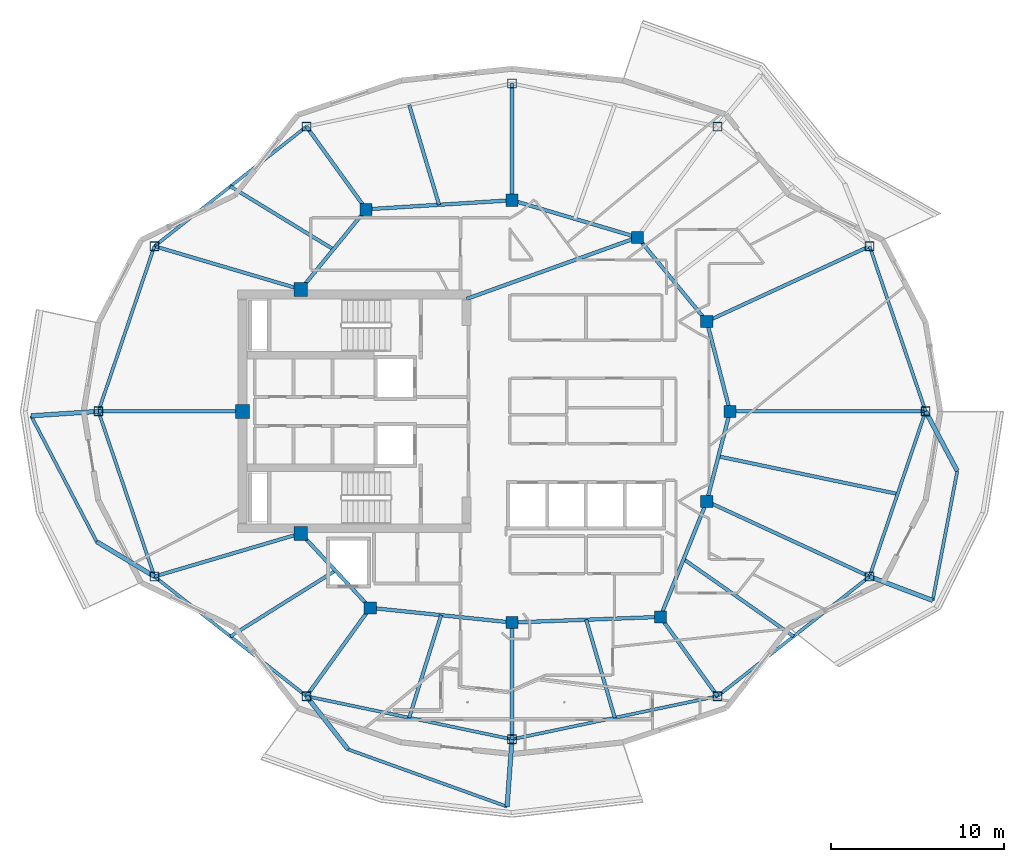
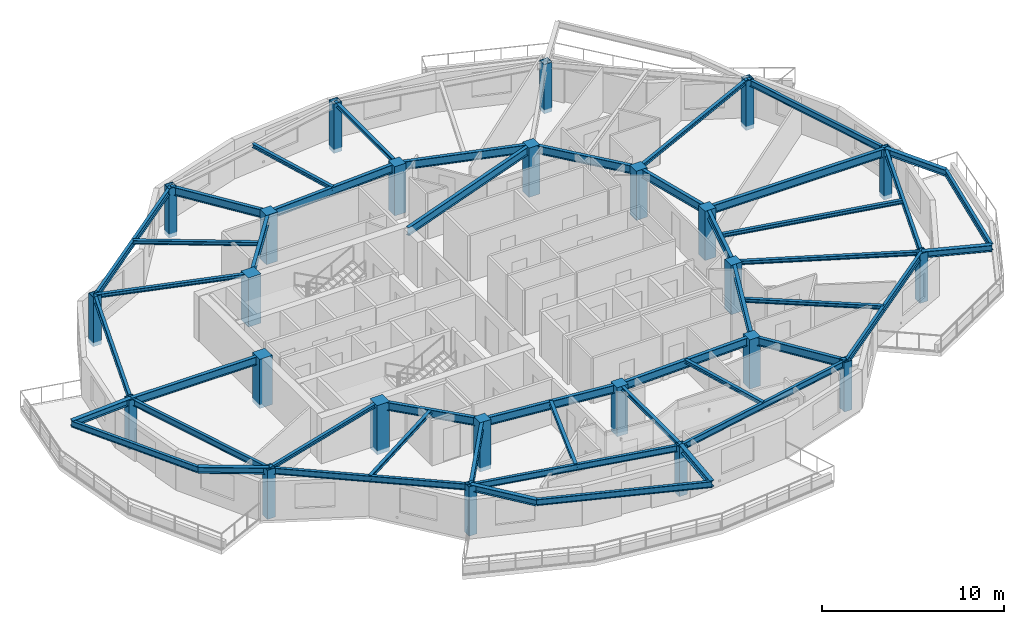
# One storey, part 1 of 14: 47 beams, 24 columns.
"""IFC4 building model written with IfcOpenShell, lengths in metres."""

from ifc_helpers import new_model, si_unit, direction, frame, origin, origin_2d, place, context, subcontext, project, spatial, rectangle, hollow_rectangle, i_section, extrude, material, material_profile, profile_set, type_object, element, save


model = new_model("IFC4")

# Units and contexts
model_context = context("Model", 3, precision=1e-05, world=origin(), true_north=direction((0.0, 1.0)))
body_context = subcontext(model_context, "Body", "Model", "MODEL_VIEW")
ifc_project = project(units=[si_unit("LENGTHUNIT", "METRE"), si_unit("AREAUNIT", "SQUARE_METRE"), si_unit("VOLUMEUNIT", "CUBIC_METRE"), si_unit("PLANEANGLEUNIT", "RADIAN"), si_unit("MASSUNIT", "GRAM", prefix="KILO")], contexts=[model_context])

# Site, building, storey
site_placement = place(None, origin())
site = spatial("IfcSite", under=ifc_project, at=site_placement, CompositionType="ELEMENT")
building_placement = place(site_placement, origin())
building = spatial("IfcBuilding", under=site, at=building_placement, Name="Kolvaren Gate Tower and Convention Centre", CompositionType="ELEMENT")
storey_placement = place(building_placement, frame((0.0, 0.0, 216.199951171875)))
storey = spatial("IfcBuildingStorey", under=building, at=storey_placement, Name="L57", CompositionType="ELEMENT", Elevation=216.199951171875)

# Columns
ifc_material_1 = material(Name="Structural steel ASTM A500 Grade C 345 MPa", Category="steel")
ifc_material_profile_1 = material_profile(ifc_material_1, hollow_rectangle(XDim=0.508056640625, YDim=0.508056640625, WallThickness=0.01904296875, at=origin_2d()), Name="HSS508X508X19.1")
ifc_profile_set_1 = profile_set([ifc_material_profile_1], Name="Structural steel ASTM A500 Grade C 345 MPa")
column_type_1 = type_object("IfcColumnType", Name="STR-COL-HSS508", PredefinedType="COLUMN", material=ifc_profile_set_1)
for number, where, z_axis, x_axis, name in (
    (1, (54.02490234375, 27.0, -0.27001953125), (0.0, 0.0, 1.0), (1.0, 0.0, 0.0), "Tower L57 Perimeter Supercolumn TP-01"),
    (2, (50.787353515625, 36.543701171875, -0.27001953125), (0.0, 0.0, 1.0), (1.0, 0.0, 0.0), "Tower L57 Perimeter Supercolumn TP-02"),
    (3, (42.002685546875, 43.4580078125, -0.27001953125), (0.0, 0.0, 1.0), (1.0, 0.0, 0.0), "Tower L57 Perimeter Supercolumn TP-03"),
    (4, (30.125, 45.949951171875, -0.27001953125), (0.0, 0.0, 1.0), (1.0, 0.0, 0.0), "Tower L57 Perimeter Supercolumn TP-04"),
    (5, (18.247314453125, 43.4580078125, -0.27001953125), (0.0, 0.0, 1.0), (1.0, 0.0, 0.0), "Tower L57 Perimeter Supercolumn TP-05"),
    (6, (9.462646484375, 36.543701171875, -0.27001953125), (0.0, 0.0, 1.0), (1.0, 0.0, 0.0), "Tower L57 Perimeter Supercolumn TP-06"),
    (7, (6.22509765625, 27.0, -0.27001953125), (0.0, 0.0, 1.0), (1.0, 0.0, 0.0), "Tower L57 Perimeter Supercolumn TP-07"),
    (8, (9.462646484375, 17.456298828125, -0.27001953125), (0.0, 0.0, 1.0), (1.0, 0.0, 0.0), "Tower L57 Perimeter Supercolumn TP-08"),
    (9, (18.247314453125, 10.5419921875, -0.27001953125), (0.0, 0.0, 1.0), (1.0, 0.0, 0.0), "Tower L57 Perimeter Supercolumn TP-09"),
    (10, (30.125, 8.050048828125, -0.27001953125), (0.0, 0.0, 1.0), (1.0, 0.0, 0.0), "Tower L57 Perimeter Supercolumn TP-10"),
    (11, (42.002685546875, 10.5419921875, -0.27001953125), (0.0, 0.0, 1.0), (1.0, 0.0, 0.0), "Tower L57 Perimeter Supercolumn TP-11"),
    (12, (50.787353515625, 17.456298828125, -0.27001953125), (0.0, 0.0, 1.0), (1.0, 0.0, 0.0), "Tower L57 Perimeter Supercolumn TP-12"),
):
    element("IfcColumn", number, at=place(storey_placement, frame(where, z_axis=z_axis, x_axis=x_axis)), inside=storey, type_object=column_type_1, Name=name, PredefinedType="COLUMN", context=body_context, shape_type="SweptSolid", body=[
        extrude(hollow_rectangle(XDim=0.508056640625, YDim=0.508056640625, WallThickness=0.01904296875, at=origin_2d()), origin(), (0.0, 0.0, 1.0), 3.300048828125),
    ])
ifc_material_2 = material(Name="Concrete C50/60", Category="concrete")
ifc_material_profile_2 = material_profile(ifc_material_2, rectangle(XDim=0.699951171875, YDim=0.699951171875, at=origin_2d()), Name="RC-COL-700X700")
ifc_profile_set_2 = profile_set([ifc_material_profile_2], Name="Concrete C50/60")
column_type_2 = type_object("IfcColumnType", Name="STR-COL-RC700", PredefinedType="COLUMN", material=ifc_profile_set_2)
for number, where, z_axis, x_axis, name in (
    (13, (42.72509765625, 27.0, -0.27001953125), (0.0, 0.0, 1.0), (1.0, 0.0, 0.0), "Tower L57 Interior Column TI-01"),
    (14, (41.382080078125, 32.199462890625, -0.27001953125), (0.0, 0.0, 1.0), (1.0, 0.0, 0.0), "Tower L57 Interior Column TI-02"),
    (15, (37.381591796875, 37.054931640625, -0.27001953125), (0.0, 0.0, 1.0), (1.0, 0.0, 0.0), "Tower L57 Interior Column TI-03"),
    (16, (30.125, 39.199951171875, -0.27001953125), (0.0, 0.0, 1.0), (1.0, 0.0, 0.0), "Tower L57 Interior Column TI-04"),
    (17, (21.697998046875, 38.6767578125, -0.27001953125), (0.0, 0.0, 1.0), (1.0, 0.0, 0.0), "Tower L57 Interior Column TI-05"),
    (18, (21.93212890625, 15.647705078125, -0.27001953125), (0.0, 0.0, 1.0), (1.0, 0.0, 0.0), "Tower L57 Interior Column TI-06"),
    (19, (30.125, 14.800048828125, -0.27001953125), (0.0, 0.0, 1.0), (1.0, 0.0, 0.0), "Tower L57 Interior Column TI-07"),
    (20, (38.6982421875, 15.12060546875, -0.27001953125), (0.0, 0.0, 1.0), (1.0, 0.0, 0.0), "Tower L57 Interior Column TI-08"),
    (21, (41.382080078125, 21.800537109375, -0.27001953125), (0.0, 0.0, 1.0), (1.0, 0.0, 0.0), "Tower L57 Interior Column TI-09"),
):
    element("IfcColumn", number, at=place(storey_placement, frame(where, z_axis=z_axis, x_axis=x_axis)), inside=storey, type_object=column_type_2, Name=name, PredefinedType="COLUMN", context=body_context, shape_type="SweptSolid", body=[
        extrude(rectangle(XDim=0.699951171875, YDim=0.699951171875, at=origin_2d()), origin(), (0.0, 0.0, 1.0), 3.300048828125),
    ])
ifc_material_3 = material(Name="Concrete C60/75", Category="concrete")
ifc_material_profile_3 = material_profile(ifc_material_3, rectangle(XDim=0.800048828125, YDim=0.800048828125, at=origin_2d()), Name="RC-COL-800X800")
ifc_profile_set_3 = profile_set([ifc_material_profile_3], Name="Concrete C60/75")
column_type_3 = type_object("IfcColumnType", Name="STR-PIL-RC800", PredefinedType="PILASTER", material=ifc_profile_set_3)
for number, where, z_axis, x_axis, name in (
    (22, (17.9140625, 34.050048828125, -0.27001953125), (0.0, 0.0, 1.0), (1.0, 0.0, 0.0), "Tower L57 Core Boundary Pilaster TC-05"),
    (23, (14.550048828125, 27.0, -0.27001953125), (0.0, 0.0, 1.0), (1.0, 0.0, 0.0), "Tower L57 Core Boundary Pilaster TC-06"),
    (24, (17.9140625, 19.949951171875, -0.27001953125), (0.0, 0.0, 1.0), (1.0, 0.0, 0.0), "Tower L57 Core Boundary Pilaster TC-07"),
):
    element("IfcColumn", number, at=place(storey_placement, frame(where, z_axis=z_axis, x_axis=x_axis)), inside=storey, type_object=column_type_3, Name=name, PredefinedType="PILASTER", context=body_context, shape_type="SweptSolid", body=[
        extrude(rectangle(XDim=0.800048828125, YDim=0.800048828125, at=origin_2d()), origin(), (0.0, 0.0, 1.0), 3.300048828125),
    ])

# Beams
ifc_material_4 = material(Name="Structural steel ASTM A992 Grade 345 MPa", Category="steel")
ifc_material_profile_4 = material_profile(ifc_material_4, i_section(OverallWidth=0.260009765625, OverallDepth=0.419921875, WebThickness=0.013427734375, FlangeThickness=0.0224609375, at=origin_2d()), Name="W410X132")
ifc_profile_set_4 = profile_set([ifc_material_profile_4], Name="Structural steel ASTM A992 Grade 345 MPa")
beam_type_1 = type_object("IfcBeamType", Name="STR-BM-W410X132", PredefinedType="BEAM", material=ifc_profile_set_4)
for number, where, z_axis, x_axis, name in (
    (25, (6.22509765625, 27.0, 2.820556640625), (-0.997825138942, -0.065916554034, 0.0), (0.065916554034, -0.997825138942, 0.0), "Tower L58 Planted Balcony Outrigger Cantilever BC-2A"),
    (26, (9.462646484375, 17.456298828125, 2.820556640625), (-0.856097890351, 0.516813701575, 0.0), (-0.516813701575, -0.856097890351, 0.0), "Tower L58 Planted Balcony Outrigger Cantilever BC-2B"),
):
    element("IfcBeam", number, at=place(storey_placement, frame(where, z_axis=z_axis, x_axis=x_axis)), inside=storey, type_object=beam_type_1, Name=name, PredefinedType="BEAM", context=body_context, shape_type="SweptSolid", body=[
        extrude(i_section(OverallWidth=0.260009765625, OverallDepth=0.419921875, WebThickness=0.013427734375, FlangeThickness=0.0224609375, at=origin_2d()), origin(), (0.0, 0.0, 1.0), 3.900146484375),
    ])
beam_1_placement = place(storey_placement, frame((18.247314453125, 10.5419921875, 2.820556640625), z_axis=(0.615984127809, -0.787758563449, 0.0), x_axis=(0.787758563449, 0.615984127809, 0.0)))
element("IfcBeam", 27, at=beam_1_placement, inside=storey, type_object=beam_type_1, Name="Tower L58 Planted Balcony Outrigger Cantilever BC-3A", PredefinedType="BEAM", context=body_context, shape_type="SweptSolid", body=[
    extrude(i_section(OverallWidth=0.260009765625, OverallDepth=0.419921875, WebThickness=0.013427734375, FlangeThickness=0.0224609375, at=origin_2d()), origin(), (0.0, 0.0, 1.0), 3.89990234375),
])
for number, where, z_axis, x_axis, name in (
    (28, (30.125, 8.050048828125, 2.820556640625), (-0.073177618762, -0.997318923972, 0.0), (0.997318923972, -0.073177618762, 0.0), "Tower L58 Planted Balcony Outrigger Cantilever BC-3B"),
    (29, (50.787353515625, 17.456298828125, 2.820556640625), (0.935223524141, -0.354057848229, 0.0), (0.354057848229, 0.935223524141, 0.0), "Tower L58 Planted Balcony Outrigger Cantilever BC-4A"),
    (30, (54.02490234375, 27.0, 2.820556640625), (0.469557949111, -0.882901655014, 0.0), (0.882901655014, 0.469557949111, 0.0), "Tower L58 Planted Balcony Outrigger Cantilever BC-4B"),
):
    element("IfcBeam", number, at=place(storey_placement, frame(where, z_axis=z_axis, x_axis=x_axis)), inside=storey, type_object=beam_type_1, Name=name, PredefinedType="BEAM", context=body_context, shape_type="SweptSolid", body=[
        extrude(i_section(OverallWidth=0.260009765625, OverallDepth=0.419921875, WebThickness=0.013427734375, FlangeThickness=0.0224609375, at=origin_2d()), origin(), (0.0, 0.0, 1.0), 3.900146484375),
    ])
ifc_material_profile_5 = material_profile(ifc_material_4, i_section(OverallWidth=0.2119140625, OverallDepth=0.5439453125, WebThickness=0.01318359375, FlangeThickness=0.021240234375, at=origin_2d()), Name="W530X123")
ifc_profile_set_5 = profile_set([ifc_material_profile_5], Name="Structural steel ASTM A992 Grade 345 MPa")
beam_type_2 = type_object("IfcBeamType", Name="STR-BM-W530X123", PredefinedType="BEAM", material=ifc_profile_set_5)
beam_2_placement = place(storey_placement, frame((42.72509765625, 27.0, 2.758056640625), z_axis=(-0.250091133936, -0.968222301296, 0.0), x_axis=(0.968222301296, -0.250091133936, 0.0)))
element("IfcBeam", 31, at=beam_2_placement, inside=storey, type_object=beam_type_2, Name="Tower L57 Primary Ring Girder G-01", PredefinedType="BEAM", context=body_context, shape_type="SweptSolid", body=[
    extrude(i_section(OverallWidth=0.2119140625, OverallDepth=0.5439453125, WebThickness=0.01318359375, FlangeThickness=0.021240234375, at=origin_2d()), origin(), (0.0, 0.0, 1.0), 5.3701171875),
])
beam_3_placement = place(storey_placement, frame((41.382080078125, 32.199462890625, 2.758056640625), z_axis=(-0.635884066011, 0.771784590798, 0.0), x_axis=(-0.771784590798, -0.635884066011, 0.0)))
element("IfcBeam", 32, at=beam_3_placement, inside=storey, type_object=beam_type_2, Name="Tower L57 Primary Ring Girder G-02", PredefinedType="BEAM", context=body_context, shape_type="SweptSolid", body=[
    extrude(i_section(OverallWidth=0.2119140625, OverallDepth=0.5439453125, WebThickness=0.01318359375, FlangeThickness=0.021240234375, at=origin_2d()), origin(), (0.0, 0.0, 1.0), 6.291259765625),
])
beam_4_placement = place(storey_placement, frame((37.381591796875, 37.054931640625, 2.758056640625), z_axis=(-0.958980837827, 0.283470902706, 0.0), x_axis=(-0.283470902706, -0.958980837827, 0.0)))
element("IfcBeam", 33, at=beam_4_placement, inside=storey, type_object=beam_type_2, Name="Tower L57 Primary Ring Girder G-03", PredefinedType="BEAM", context=body_context, shape_type="SweptSolid", body=[
    extrude(i_section(OverallWidth=0.2119140625, OverallDepth=0.5439453125, WebThickness=0.01318359375, FlangeThickness=0.021240234375, at=origin_2d()), origin(), (0.0, 0.0, 1.0), 7.56689453125),
])
beam_5_placement = place(storey_placement, frame((30.125, 39.199951171875, 2.758056640625), z_axis=(-0.998078258568, -0.06196603726, 0.0), x_axis=(0.06196603726, -0.998078258568, 0.0)))
element("IfcBeam", 34, at=beam_5_placement, inside=storey, type_object=beam_type_2, Name="Tower L57 Primary Ring Girder G-04", PredefinedType="BEAM", context=body_context, shape_type="SweptSolid", body=[
    extrude(i_section(OverallWidth=0.2119140625, OverallDepth=0.5439453125, WebThickness=0.01318359375, FlangeThickness=0.021240234375, at=origin_2d()), origin(), (0.0, 0.0, 1.0), 8.443115234375),
])
beam_6_placement = place(storey_placement, frame((21.697998046875, 38.6767578125, 2.758056640625), z_axis=(-0.633082074904, -0.774084676528, 0.0), x_axis=(0.774084676528, -0.633082074904, 0.0)))
element("IfcBeam", 35, at=beam_6_placement, inside=storey, type_object=beam_type_2, Name="Tower L57 Primary Ring Girder G-05", PredefinedType="BEAM", context=body_context, shape_type="SweptSolid", body=[
    extrude(i_section(OverallWidth=0.2119140625, OverallDepth=0.5439453125, WebThickness=0.01318359375, FlangeThickness=0.021240234375, at=origin_2d()), origin(), (0.0, 0.0, 1.0), 5.97705078125),
])
beam_7_placement = place(storey_placement, frame((17.9140625, 19.949951171875, 2.758056640625), z_axis=(0.682557592987, -0.730831808459, 0.0), x_axis=(0.730831808459, 0.682557592987, 0.0)))
element("IfcBeam", 36, at=beam_7_placement, inside=storey, type_object=beam_type_2, Name="Tower L57 Primary Ring Girder G-06", PredefinedType="BEAM", context=body_context, shape_type="SweptSolid", body=[
    extrude(i_section(OverallWidth=0.2119140625, OverallDepth=0.5439453125, WebThickness=0.01318359375, FlangeThickness=0.021240234375, at=origin_2d()), origin(), (0.0, 0.0, 1.0), 5.88671875),
])
beam_8_placement = place(storey_placement, frame((21.93212890625, 15.647705078125, 2.758056640625), z_axis=(0.994690329115, -0.102913308978, 0.0), x_axis=(0.102913308978, 0.994690329115, 0.0)))
element("IfcBeam", 37, at=beam_8_placement, inside=storey, type_object=beam_type_2, Name="Tower L57 Primary Ring Girder G-07", PredefinedType="BEAM", context=body_context, shape_type="SweptSolid", body=[
    extrude(i_section(OverallWidth=0.2119140625, OverallDepth=0.5439453125, WebThickness=0.01318359375, FlangeThickness=0.021240234375, at=origin_2d()), origin(), (0.0, 0.0, 1.0), 8.236572265625),
])
beam_9_placement = place(storey_placement, frame((30.125, 14.800048828125, 2.758056640625), z_axis=(0.999301712453, 0.037364254142, 0.0), x_axis=(-0.037364254142, 0.999301712453, 0.0)))
element("IfcBeam", 38, at=beam_9_placement, inside=storey, type_object=beam_type_2, Name="Tower L57 Primary Ring Girder G-08", PredefinedType="BEAM", context=body_context, shape_type="SweptSolid", body=[
    extrude(i_section(OverallWidth=0.2119140625, OverallDepth=0.5439453125, WebThickness=0.01318359375, FlangeThickness=0.021240234375, at=origin_2d()), origin(), (0.0, 0.0, 1.0), 8.579345703125),
])
beam_10_placement = place(storey_placement, frame((38.6982421875, 15.12060546875, 2.758056640625), z_axis=(0.372811100169, 0.927907260232, 0.0), x_axis=(-0.927907260232, 0.372811100169, 0.0)))
element("IfcBeam", 39, at=beam_10_placement, inside=storey, type_object=beam_type_2, Name="Tower L57 Primary Ring Girder G-09", PredefinedType="BEAM", context=body_context, shape_type="SweptSolid", body=[
    extrude(i_section(OverallWidth=0.2119140625, OverallDepth=0.5439453125, WebThickness=0.01318359375, FlangeThickness=0.021240234375, at=origin_2d()), origin(), (0.0, 0.0, 1.0), 7.198974609375),
])
beam_11_placement = place(storey_placement, frame((27.5, 33.5, 2.758056640625), z_axis=(0.940961479908, 0.338513653093, 0.0), x_axis=(-0.338513653093, 0.940961479908, 0.0)))
element("IfcBeam", 40, at=beam_11_placement, inside=storey, type_object=beam_type_2, Name="Tower L57 Primary Ring Girder G-10", PredefinedType="BEAM", context=body_context, shape_type="SweptSolid", body=[
    extrude(i_section(OverallWidth=0.2119140625, OverallDepth=0.5439453125, WebThickness=0.01318359375, FlangeThickness=0.021240234375, at=origin_2d()), origin(), (0.0, 0.0, 1.0), 10.501708984375),
])
beam_12_placement = place(storey_placement, frame((42.72509765625, 27.0, 2.758056640625), z_axis=(-0.250091133936, 0.968222301296, 0.0), x_axis=(-0.968222301296, -0.250091133936, 0.0)))
element("IfcBeam", 41, at=beam_12_placement, inside=storey, type_object=beam_type_2, Name="Tower L57 Primary Ring Girder G-12", PredefinedType="BEAM", context=body_context, shape_type="SweptSolid", body=[
    extrude(i_section(OverallWidth=0.2119140625, OverallDepth=0.5439453125, WebThickness=0.01318359375, FlangeThickness=0.021240234375, at=origin_2d()), origin(), (0.0, 0.0, 1.0), 5.3701171875),
])
beam_13_placement = place(storey_placement, frame((42.72509765625, 27.0, 2.758056640625), z_axis=(1.0, 0.0, 0.0), x_axis=(0.0, 1.0, 0.0)))
element("IfcBeam", 42, at=beam_13_placement, inside=storey, type_object=beam_type_2, Name="Tower L57 Radial Floor Girder RB-01", PredefinedType="BEAM", context=body_context, shape_type="SweptSolid", body=[
    extrude(i_section(OverallWidth=0.2119140625, OverallDepth=0.5439453125, WebThickness=0.01318359375, FlangeThickness=0.021240234375, at=origin_2d()), origin(), (0.0, 0.0, 1.0), 11.2998046875),
])
beam_14_placement = place(storey_placement, frame((21.697998046875, 38.6767578125, 2.758056640625), z_axis=(-0.585218406802, 0.810875709552, 0.0), x_axis=(-0.810875709552, -0.585218406802, 0.0)))
element("IfcBeam", 43, at=beam_14_placement, inside=storey, type_object=beam_type_2, Name="Tower L57 Radial Floor Girder RB-05", PredefinedType="BEAM", context=body_context, shape_type="SweptSolid", body=[
    extrude(i_section(OverallWidth=0.2119140625, OverallDepth=0.5439453125, WebThickness=0.01318359375, FlangeThickness=0.021240234375, at=origin_2d()), origin(), (0.0, 0.0, 1.0), 5.896484375),
])
beam_15_placement = place(storey_placement, frame((14.550048828125, 27.0, 2.758056640625), z_axis=(-1.0, 0.0, 0.0), x_axis=(0.0, -1.0, 0.0)))
element("IfcBeam", 44, at=beam_15_placement, inside=storey, type_object=beam_type_2, Name="Tower L57 Radial Floor Girder RB-07", PredefinedType="BEAM", context=body_context, shape_type="SweptSolid", body=[
    extrude(i_section(OverallWidth=0.2119140625, OverallDepth=0.5439453125, WebThickness=0.01318359375, FlangeThickness=0.021240234375, at=origin_2d()), origin(), (0.0, 0.0, 1.0), 8.324951171875),
])
beam_16_placement = place(storey_placement, frame((21.93212890625, 15.647705078125, 2.758056640625), z_axis=(-0.585214462319, -0.810878556316, 0.0), x_axis=(0.810878556316, -0.585214462319, 0.0)))
element("IfcBeam", 45, at=beam_16_placement, inside=storey, type_object=beam_type_2, Name="Tower L57 Radial Floor Girder RB-09", PredefinedType="BEAM", context=body_context, shape_type="SweptSolid", body=[
    extrude(i_section(OverallWidth=0.2119140625, OverallDepth=0.5439453125, WebThickness=0.01318359375, FlangeThickness=0.021240234375, at=origin_2d()), origin(), (0.0, 0.0, 1.0), 6.296630859375),
])
beam_17_placement = place(storey_placement, frame((38.6982421875, 15.12060546875, 2.758056640625), z_axis=(0.585218993275, -0.810875286286, 0.0), x_axis=(0.810875286286, 0.585218993275, 0.0)))
element("IfcBeam", 46, at=beam_17_placement, inside=storey, type_object=beam_type_2, Name="Tower L57 Radial Floor Girder RB-11", PredefinedType="BEAM", context=body_context, shape_type="SweptSolid", body=[
    extrude(i_section(OverallWidth=0.2119140625, OverallDepth=0.5439453125, WebThickness=0.01318359375, FlangeThickness=0.021240234375, at=origin_2d()), origin(), (0.0, 0.0, 1.0), 5.646484375),
])
ifc_material_profile_6 = material_profile(ifc_material_4, i_section(OverallWidth=0.202880859375, OverallDepth=0.251953125, WebThickness=0.008056640625, FlangeThickness=0.013427734375, at=origin_2d()), Name="W250X58")
ifc_profile_set_6 = profile_set([ifc_material_profile_6], Name="Structural steel ASTM A992 Grade 345 MPa")
beam_type_3 = type_object("IfcBeamType", Name="STR-JS-W250X58", PredefinedType="JOIST", material=ifc_profile_set_6)
beam_18_placement = place(storey_placement, frame((41.382080078125, 32.199462890625, 2.904052734375), z_axis=(0.907836575129, 0.419324162025, 0.0), x_axis=(-0.419324162025, 0.907836575129, 0.0)))
element("IfcBeam", 47, at=beam_18_placement, inside=storey, type_object=beam_type_3, Name="Tower L57 Radial Floor Girder RB-02", PredefinedType="JOIST", context=body_context, shape_type="SweptSolid", body=[
    extrude(i_section(OverallWidth=0.202880859375, OverallDepth=0.251953125, WebThickness=0.008056640625, FlangeThickness=0.013427734375, at=origin_2d()), origin(), (0.0, 0.0, 1.0), 10.360107421875),
])
beam_19_placement = place(storey_placement, frame((30.125, 39.199951171875, 2.904052734375), z_axis=(0.0, 1.0, 0.0), x_axis=(-1.0, 0.0, 0.0)))
element("IfcBeam", 48, at=beam_19_placement, inside=storey, type_object=beam_type_3, Name="Tower L57 Radial Floor Girder RB-04", PredefinedType="JOIST", context=body_context, shape_type="SweptSolid", body=[
    extrude(i_section(OverallWidth=0.202880859375, OverallDepth=0.251953125, WebThickness=0.008056640625, FlangeThickness=0.013427734375, at=origin_2d()), origin(), (0.0, 0.0, 1.0), 6.75),
])
for number, where, z_axis, x_axis, name in (
    (49, (17.9140625, 34.050048828125, 2.904052734375), (-0.959121165581, 0.28299574155, 0.0), (-0.28299574155, -0.959121165581, 0.0), "Tower L57 Radial Floor Girder RB-06"),
    (50, (17.9140625, 19.949951171875, 2.904052734375), (-0.959121165581, -0.28299574155, 0.0), (0.28299574155, -0.959121165581, 0.0), "Tower L57 Radial Floor Girder RB-08"),
):
    element("IfcBeam", number, at=place(storey_placement, frame(where, z_axis=z_axis, x_axis=x_axis)), inside=storey, type_object=beam_type_3, Name=name, PredefinedType="JOIST", context=body_context, shape_type="SweptSolid", body=[
        extrude(i_section(OverallWidth=0.202880859375, OverallDepth=0.251953125, WebThickness=0.008056640625, FlangeThickness=0.013427734375, at=origin_2d()), origin(), (0.0, 0.0, 1.0), 8.8115234375),
    ])
beam_20_placement = place(storey_placement, frame((30.125, 14.800048828125, 2.904052734375), z_axis=(0.0, -1.0, 0.0), x_axis=(1.0, 0.0, 0.0)))
element("IfcBeam", 51, at=beam_20_placement, inside=storey, type_object=beam_type_3, Name="Tower L57 Radial Floor Girder RB-10", PredefinedType="JOIST", context=body_context, shape_type="SweptSolid", body=[
    extrude(i_section(OverallWidth=0.202880859375, OverallDepth=0.251953125, WebThickness=0.008056640625, FlangeThickness=0.013427734375, at=origin_2d()), origin(), (0.0, 0.0, 1.0), 6.75),
])
beam_21_placement = place(storey_placement, frame((41.382080078125, 21.800537109375, 2.904052734375), z_axis=(0.907836575129, -0.419324162025, 0.0), x_axis=(0.419324162025, 0.907836575129, 0.0)))
element("IfcBeam", 52, at=beam_21_placement, inside=storey, type_object=beam_type_3, Name="Tower L57 Radial Floor Girder RB-12", PredefinedType="JOIST", context=body_context, shape_type="SweptSolid", body=[
    extrude(i_section(OverallWidth=0.202880859375, OverallDepth=0.251953125, WebThickness=0.008056640625, FlangeThickness=0.013427734375, at=origin_2d()), origin(), (0.0, 0.0, 1.0), 10.360107421875),
])
beam_22_placement = place(storey_placement, frame((25.91162109375, 38.938232421875, 2.904052734375), z_axis=(-0.286674209033, 0.958028130002, 0.0), x_axis=(-0.958028130002, -0.286674209033, 0.0)))
element("IfcBeam", 53, at=beam_22_placement, inside=storey, type_object=beam_type_3, Name="Tower L57 Secondary Composite Floor Joist J-04.1", PredefinedType="JOIST", context=body_context, shape_type="SweptSolid", body=[
    extrude(i_section(OverallWidth=0.202880859375, OverallDepth=0.251953125, WebThickness=0.008056640625, FlangeThickness=0.013427734375, at=origin_2d()), origin(), (0.0, 0.0, 1.0), 6.0185546875),
])
beam_23_placement = place(storey_placement, frame((19.805908203125, 36.36328125, 2.904052734375), z_axis=(-0.853232509014, 0.52153071392, 0.0), x_axis=(-0.52153071392, -0.853232509014, 0.0)))
element("IfcBeam", 54, at=beam_23_placement, inside=storey, type_object=beam_type_3, Name="Tower L57 Secondary Composite Floor Joist J-05.1", PredefinedType="JOIST", context=body_context, shape_type="SweptSolid", body=[
    extrude(i_section(OverallWidth=0.202880859375, OverallDepth=0.251953125, WebThickness=0.008056640625, FlangeThickness=0.013427734375, at=origin_2d()), origin(), (0.0, 0.0, 1.0), 6.974609375),
])
beam_24_placement = place(storey_placement, frame((19.923095703125, 17.798828125, 2.904052734375), z_axis=(-0.847559309278, -0.530700685186, 0.0), x_axis=(0.530700685186, -0.847559309278, 0.0)))
element("IfcBeam", 55, at=beam_24_placement, inside=storey, type_object=beam_type_3, Name="Tower L57 Secondary Composite Floor Joist J-08.1", PredefinedType="JOIST", context=body_context, shape_type="SweptSolid", body=[
    extrude(i_section(OverallWidth=0.202880859375, OverallDepth=0.251953125, WebThickness=0.008056640625, FlangeThickness=0.013427734375, at=origin_2d()), origin(), (0.0, 0.0, 1.0), 7.159423828125),
])
beam_25_placement = place(storey_placement, frame((26.028564453125, 15.223876953125, 2.904052734375), z_axis=(-0.296776485487, -0.954946971126, 0.0), x_axis=(0.954946971126, -0.296776485487, 0.0)))
element("IfcBeam", 56, at=beam_25_placement, inside=storey, type_object=beam_type_3, Name="Tower L57 Secondary Composite Floor Joist J-09.1", PredefinedType="JOIST", context=body_context, shape_type="SweptSolid", body=[
    extrude(i_section(OverallWidth=0.202880859375, OverallDepth=0.251953125, WebThickness=0.008056640625, FlangeThickness=0.013427734375, at=origin_2d()), origin(), (0.0, 0.0, 1.0), 6.207763671875),
])
beam_26_placement = place(storey_placement, frame((34.41162109375, 14.960205078125, 2.904052734375), z_axis=(0.280001588896, -0.959999536571, 0.0), x_axis=(0.959999536571, 0.280001588896, 0.0)))
element("IfcBeam", 57, at=beam_26_placement, inside=storey, type_object=beam_type_3, Name="Tower L57 Secondary Composite Floor Joist J-10.1", PredefinedType="JOIST", context=body_context, shape_type="SweptSolid", body=[
    extrude(i_section(OverallWidth=0.202880859375, OverallDepth=0.251953125, WebThickness=0.008056640625, FlangeThickness=0.013427734375, at=origin_2d()), origin(), (0.0, 0.0, 1.0), 5.900390625),
])
beam_27_placement = place(storey_placement, frame((40.040283203125, 18.46044921875, 2.904052734375), z_axis=(0.81845266589, -0.574573958423, 0.0), x_axis=(0.574573958423, 0.81845266589, 0.0)))
element("IfcBeam", 58, at=beam_27_placement, inside=storey, type_object=beam_type_3, Name="Tower L57 Secondary Composite Floor Joist J-11.1", PredefinedType="JOIST", context=body_context, shape_type="SweptSolid", body=[
    extrude(i_section(OverallWidth=0.202880859375, OverallDepth=0.251953125, WebThickness=0.008056640625, FlangeThickness=0.013427734375, at=origin_2d()), origin(), (0.0, 0.0, 1.0), 7.764404296875),
])
beam_28_placement = place(storey_placement, frame((42.0537109375, 24.400146484375, 2.904052734375), z_axis=(0.978694513543, -0.205321818519, 0.0), x_axis=(0.205321818519, 0.978694513543, 0.0)))
element("IfcBeam", 59, at=beam_28_placement, inside=storey, type_object=beam_type_3, Name="Tower L57 Secondary Composite Floor Joist J-12.1", PredefinedType="JOIST", context=body_context, shape_type="SweptSolid", body=[
    extrude(i_section(OverallWidth=0.202880859375, OverallDepth=0.251953125, WebThickness=0.008056640625, FlangeThickness=0.013427734375, at=origin_2d()), origin(), (0.0, 0.0, 1.0), 10.577880859375),
])
ifc_material_profile_7 = material_profile(ifc_material_4, i_section(OverallWidth=0.180908203125, OverallDepth=0.4169921875, WebThickness=0.010986328125, FlangeThickness=0.018310546875, at=origin_2d()), Name="W410X85")
ifc_profile_set_7 = profile_set([ifc_material_profile_7], Name="Structural steel ASTM A992 Grade 345 MPa")
beam_type_4 = type_object("IfcBeamType", Name="STR-SP-W410X85", PredefinedType="SPANDREL", material=ifc_profile_set_7)
beam_29_placement = place(storey_placement, frame((54.02490234375, 27.0, 2.821533203125), z_axis=(-0.321252507379, 0.946993572577, 0.0), x_axis=(-0.946993572577, -0.321252507379, 0.0)))
element("IfcBeam", 60, at=beam_29_placement, inside=storey, type_object=beam_type_4, Name="Tower L57 Perimeter Spandrel Beam SP-01", PredefinedType="SPANDREL", context=body_context, shape_type="SweptSolid", body=[
    extrude(i_section(OverallWidth=0.180908203125, OverallDepth=0.4169921875, WebThickness=0.010986328125, FlangeThickness=0.018310546875, at=origin_2d()), origin(), (0.0, 0.0, 1.0), 10.077880859375),
])
beam_30_placement = place(storey_placement, frame((18.247314453125, 43.4580078125, 2.821533203125), z_axis=(-0.78579365551, -0.618488747643, 0.0), x_axis=(0.618488747643, -0.78579365551, 0.0)))
element("IfcBeam", 61, at=beam_30_placement, inside=storey, type_object=beam_type_4, Name="Tower L57 Perimeter Spandrel Beam SP-05", PredefinedType="SPANDREL", context=body_context, shape_type="SweptSolid", body=[
    extrude(i_section(OverallWidth=0.180908203125, OverallDepth=0.4169921875, WebThickness=0.010986328125, FlangeThickness=0.018310546875, at=origin_2d()), origin(), (0.0, 0.0, 1.0), 11.179443359375),
])
for number, where, z_axis, x_axis, name in (
    (62, (9.462646484375, 36.543701171875, 2.821533203125), (-0.321252507379, -0.946993572577, 0.0), (0.946993572577, -0.321252507379, 0.0), "Tower L57 Perimeter Spandrel Beam SP-06"),
    (63, (6.22509765625, 27.0, 2.821533203125), (0.321252507379, -0.946993572577, 0.0), (0.946993572577, 0.321252507379, 0.0), "Tower L57 Perimeter Spandrel Beam SP-07"),
):
    element("IfcBeam", number, at=place(storey_placement, frame(where, z_axis=z_axis, x_axis=x_axis)), inside=storey, type_object=beam_type_4, Name=name, PredefinedType="SPANDREL", context=body_context, shape_type="SweptSolid", body=[
        extrude(i_section(OverallWidth=0.180908203125, OverallDepth=0.4169921875, WebThickness=0.010986328125, FlangeThickness=0.018310546875, at=origin_2d()), origin(), (0.0, 0.0, 1.0), 10.077880859375),
    ])
beam_31_placement = place(storey_placement, frame((9.462646484375, 17.456298828125, 2.821533203125), z_axis=(0.78579365551, -0.618488747643, 0.0), x_axis=(0.618488747643, 0.78579365551, 0.0)))
element("IfcBeam", 64, at=beam_31_placement, inside=storey, type_object=beam_type_4, Name="Tower L57 Perimeter Spandrel Beam SP-08", PredefinedType="SPANDREL", context=body_context, shape_type="SweptSolid", body=[
    extrude(i_section(OverallWidth=0.180908203125, OverallDepth=0.4169921875, WebThickness=0.010986328125, FlangeThickness=0.018310546875, at=origin_2d()), origin(), (0.0, 0.0, 1.0), 11.179443359375),
])
for number, where, z_axis, x_axis, name in (
    (65, (18.247314453125, 10.5419921875, 2.821533203125), (0.978692765917, -0.205330148645, 0.0), (0.205330148645, 0.978692765917, 0.0), "Tower L57 Perimeter Spandrel Beam SP-09"),
    (66, (30.125, 8.050048828125, 2.821533203125), (0.978692765917, 0.205330148645, 0.0), (-0.205330148645, 0.978692765917, 0.0), "Tower L57 Perimeter Spandrel Beam SP-10"),
):
    element("IfcBeam", number, at=place(storey_placement, frame(where, z_axis=z_axis, x_axis=x_axis)), inside=storey, type_object=beam_type_4, Name=name, PredefinedType="SPANDREL", context=body_context, shape_type="SweptSolid", body=[
        extrude(i_section(OverallWidth=0.180908203125, OverallDepth=0.4169921875, WebThickness=0.010986328125, FlangeThickness=0.018310546875, at=origin_2d()), origin(), (0.0, 0.0, 1.0), 12.13623046875),
    ])
beam_32_placement = place(storey_placement, frame((42.002685546875, 10.5419921875, 2.821533203125), z_axis=(0.78579365551, 0.618488747643, 0.0), x_axis=(-0.618488747643, 0.78579365551, 0.0)))
element("IfcBeam", 67, at=beam_32_placement, inside=storey, type_object=beam_type_4, Name="Tower L57 Perimeter Spandrel Beam SP-11", PredefinedType="SPANDREL", context=body_context, shape_type="SweptSolid", body=[
    extrude(i_section(OverallWidth=0.180908203125, OverallDepth=0.4169921875, WebThickness=0.010986328125, FlangeThickness=0.018310546875, at=origin_2d()), origin(), (0.0, 0.0, 1.0), 11.179443359375),
])
beam_33_placement = place(storey_placement, frame((50.787353515625, 17.456298828125, 2.821533203125), z_axis=(0.321252507379, 0.946993572577, 0.0), x_axis=(-0.946993572577, 0.321252507379, 0.0)))
element("IfcBeam", 68, at=beam_33_placement, inside=storey, type_object=beam_type_4, Name="Tower L57 Perimeter Spandrel Beam SP-12", PredefinedType="SPANDREL", context=body_context, shape_type="SweptSolid", body=[
    extrude(i_section(OverallWidth=0.180908203125, OverallDepth=0.4169921875, WebThickness=0.010986328125, FlangeThickness=0.018310546875, at=origin_2d()), origin(), (0.0, 0.0, 1.0), 10.077880859375),
])
beam_34_placement = place(storey_placement, frame((2.33349609375, 26.742919921875, 2.822021484375), z_axis=(0.462251551917, -0.886748838595, 0.0), x_axis=(0.886748838595, 0.462251551917, 0.0)))
element("IfcBeam", 69, at=beam_34_placement, inside=storey, type_object=beam_type_4, Name="Tower L58 Planted Balcony Header Tie Beam BT-2", PredefinedType="SPANDREL", context=body_context, shape_type="SweptSolid", body=[
    extrude(i_section(OverallWidth=0.180908203125, OverallDepth=0.4169921875, WebThickness=0.010986328125, FlangeThickness=0.018310546875, at=origin_2d()), origin(), (0.0, 0.0, 1.0), 8.19970703125),
])
beam_35_placement = place(storey_placement, frame((20.649658203125, 7.4697265625, 2.822021484375), z_axis=(0.940856500711, -0.338805320311, 0.0), x_axis=(0.338805320311, 0.940856500711, 0.0)))
element("IfcBeam", 70, at=beam_35_placement, inside=storey, type_object=beam_type_4, Name="Tower L58 Planted Balcony Header Tie Beam BT-3", PredefinedType="SPANDREL", context=body_context, shape_type="SweptSolid", body=[
    extrude(i_section(OverallWidth=0.180908203125, OverallDepth=0.4169921875, WebThickness=0.010986328125, FlangeThickness=0.018310546875, at=origin_2d()), origin(), (0.0, 0.0, 1.0), 9.767578125),
])
beam_36_placement = place(storey_placement, frame((54.434814453125, 16.075439453125, 2.822021484375), z_axis=(0.186655385459, 0.982425451156, 0.0), x_axis=(-0.982425451156, 0.186655385459, 0.0)))
element("IfcBeam", 71, at=beam_36_placement, inside=storey, type_object=beam_type_4, Name="Tower L58 Planted Balcony Header Tie Beam BT-4", PredefinedType="SPANDREL", context=body_context, shape_type="SweptSolid", body=[
    extrude(i_section(OverallWidth=0.180908203125, OverallDepth=0.4169921875, WebThickness=0.010986328125, FlangeThickness=0.018310546875, at=origin_2d()), origin(), (0.0, 0.0, 1.0), 7.614990234375),
])

save(model, "model.ifc")
